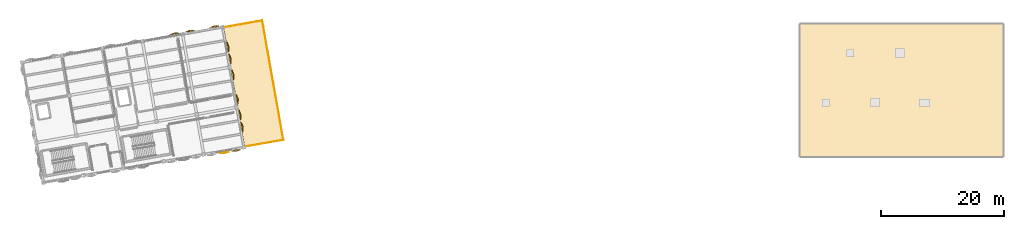
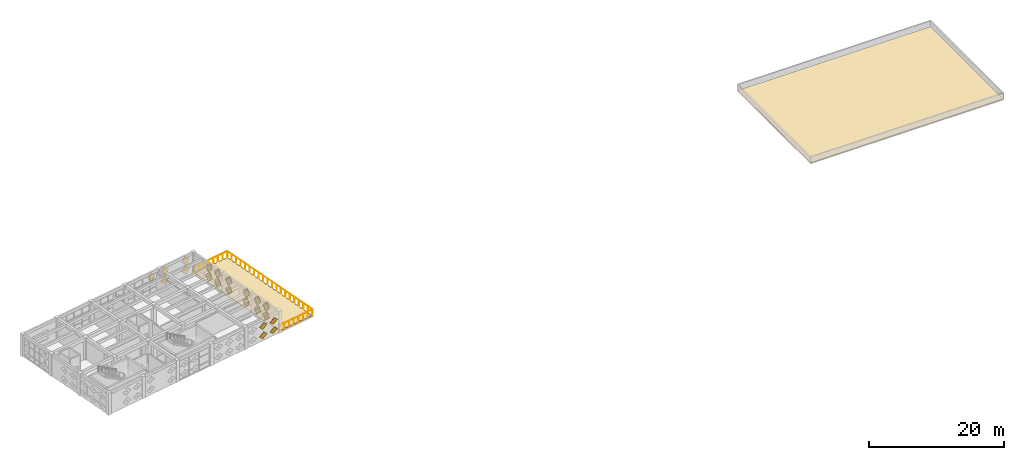
# One storey, part 18 of 18: 23 coverings, 1 railing.
"""IFC4 building model written with IfcOpenShell, lengths in metres."""

import ifcopenshell
import ifcopenshell.guid

model = None  # the IFC model being written
_history = None  # IfcOwnerHistory: only IFC2X3 demands one
_inside = {}  # id of a spatial element -> (the spatial element, [elements in it])
_under = {}  # id of a project, library or spatial element -> (it, [spatial elements below it])
_declared = {}  # id of a project -> (the project, [libraries it declares])
_typed = {}  # id of a type object -> (the type object, [elements of that type])
_made_of = {}  # id of a material, layer set ... -> (it, [elements and type objects made of it])


def new_model(schema):
    """Start an empty IFC model of exactly this schema.

    Asked for "IFC4X3", IfcOpenShell would pick the latest addendum, in which some entities
    have other attributes; the version numbers below select the first issue.
    IFC2X3 requires an IfcOwnerHistory on every rooted entity: one is made here for all.
    """
    global model, _history
    if schema == "IFC4X3":
        model = ifcopenshell.file(schema_version=(4, 3, 0, 0))
    else:
        model = ifcopenshell.file(schema=schema)
    _inside.clear()
    _under.clear()
    _declared.clear()
    _typed.clear()
    _made_of.clear()
    _history = None
    if model.schema == "IFC2X3":
        org = make("IfcOrganization", Name="unknown")
        user = make(
            "IfcPersonAndOrganization",
            ThePerson=make("IfcPerson", FamilyName="unknown"),
            TheOrganization=org,
        )
        app = make(
            "IfcApplication",
            ApplicationDeveloper=org,
            Version="unknown",
            ApplicationFullName="unknown",
            ApplicationIdentifier="unknown",
        )
        _history = make(
            "IfcOwnerHistory",
            OwningUser=user,
            OwningApplication=app,
            ChangeAction="ADDED",
            CreationDate=0,
        )
    return model


def make(cls, **values):
    """One entity of the class cls with the attributes given. An attribute that is None is left unset."""
    return model.create_entity(
        cls, **{name: value for name, value in values.items() if value is not None}
    )


def rooted(cls, **values):
    """An entity with a GlobalId (a new one), such as an element, a storey or a relation."""
    return make(cls, GlobalId=ifcopenshell.guid.new(), OwnerHistory=_history, **values)


def si_unit(unit_type, name, prefix=None):
    """IfcSIUnit, for example si_unit("LENGTHUNIT", "METRE", prefix="MILLI")."""
    return make("IfcSIUnit", UnitType=unit_type, Prefix=prefix, Name=name)


def assignment(units):
    """IfcUnitAssignment: the units of a project."""
    return None if units is None else make("IfcUnitAssignment", Units=units)


def point(xyz):
    """IfcCartesianPoint."""
    return None if xyz is None else make("IfcCartesianPoint", Coordinates=xyz)


def direction(xyz):
    """IfcDirection."""
    return None if xyz is None else make("IfcDirection", DirectionRatios=xyz)


def frame(location, z_axis=None, x_axis=None):
    """IfcAxis2Placement3D, a coordinate frame: its origin and axes. An axis left out is left unset."""
    return make(
        "IfcAxis2Placement3D",
        Location=point(location),
        Axis=direction(z_axis),
        RefDirection=direction(x_axis),
    )


def frame_2d(location, x_axis=None):
    """IfcAxis2Placement2D, a coordinate frame in the plane: its origin and x axis."""
    return make(
        "IfcAxis2Placement2D", Location=point(location), RefDirection=direction(x_axis)
    )


def origin():
    """The frame at (0, 0, 0) with its axes left unset."""
    return frame((0.0, 0.0, 0.0))


def origin_2d():
    """The frame at (0, 0) in the plane with its x axis left unset."""
    return frame_2d((0.0, 0.0))


def place(relative_to, where):
    """IfcLocalPlacement: puts the frame where relative to a parent placement (None: the world)."""
    return make(
        "IfcLocalPlacement", PlacementRelTo=relative_to, RelativePlacement=where
    )


def context(
    kind, dimensions, precision=None, world=None, true_north=None, identifier=None
):
    """IfcGeometricRepresentationContext, for example the 3D "Model" context."""
    return make(
        "IfcGeometricRepresentationContext",
        ContextIdentifier=identifier,
        ContextType=kind,
        CoordinateSpaceDimension=dimensions,
        Precision=precision,
        WorldCoordinateSystem=world,
        TrueNorth=true_north,
    )


def subcontext(parent, identifier, kind, view, scale=None):
    """IfcGeometricRepresentationSubContext, for example "Body" below "Model"."""
    return make(
        "IfcGeometricRepresentationSubContext",
        ContextIdentifier=identifier,
        ContextType=kind,
        ParentContext=parent,
        TargetScale=scale,
        TargetView=view,
    )


def project(units=None, contexts=None):
    """IfcProject with its units and contexts."""
    return rooted(
        "IfcProject",
        Name="project",
        RepresentationContexts=contexts,
        UnitsInContext=assignment(units),
    )


def spatial(cls, under=None, at=None, **own):
    """A site, building, storey or space (cls), placed at a placement, below another one or the project."""
    s = rooted(cls, ObjectPlacement=at, **own)
    if under is not None:
        _under.setdefault(under.id(), (under, []))[1].append(s)
    return s


def polyline(points):
    """IfcPolyline through the points."""
    return make("IfcPolyline", Points=[point(p) for p in points])


def profile(cls, at=None, kind="AREA", **sizes):
    """A parametric profile (cls). Its sizes go by their IFC names, for example OverallWidth=200.0."""
    return make(cls, ProfileType=kind, Position=at, **sizes)


def circle(**sizes):
    """IfcCircleProfileDef."""
    return profile("IfcCircleProfileDef", **sizes)


def outline(outer, holes=None, kind="AREA"):
    """IfcArbitraryClosedProfileDef: a profile drawn as a closed curve; with holes, ...WithVoids."""
    if holes is None:
        return make("IfcArbitraryClosedProfileDef", ProfileType=kind, OuterCurve=outer)
    return make(
        "IfcArbitraryProfileDefWithVoids",
        ProfileType=kind,
        OuterCurve=outer,
        InnerCurves=holes,
    )


def extrude(swept, where, along, depth):
    """IfcExtrudedAreaSolid: the profile swept, set in the frame where, extruded along a direction by depth."""
    return make(
        "IfcExtrudedAreaSolid",
        SweptArea=swept,
        Position=where,
        ExtrudedDirection=direction(along),
        Depth=depth,
    )


def shape(context_of_items, identifier, shape_type, items):
    """IfcShapeRepresentation: the items that make up one representation, for example the "Body"."""
    return make(
        "IfcShapeRepresentation",
        ContextOfItems=context_of_items,
        RepresentationIdentifier=identifier,
        RepresentationType=shape_type,
        Items=items,
    )


def material(Name=None, Category=None):
    """IfcMaterial."""
    return make("IfcMaterial", Name=Name, Category=Category)


def layer(
    of_material, thickness, ventilated=None, Name=None, Category=None, Priority=None
):
    """IfcMaterialLayer: one layer of a wall or slab, of a material (None: an air gap)."""
    return make(
        "IfcMaterialLayer",
        Material=of_material,
        LayerThickness=thickness,
        IsVentilated=ventilated,
        Name=Name,
        Category=Category,
        Priority=Priority,
    )


def layer_set(layers, Name=None):
    """IfcMaterialLayerSet."""
    return make("IfcMaterialLayerSet", MaterialLayers=layers, LayerSetName=Name)


def made_of(thing, what):
    """Note that an element or type object is made of a material, layer set ...; save() writes the relation."""
    if what is not None:
        _made_of.setdefault(what.id(), (what, []))[1].append(thing)
    return thing


def type_object(cls, material=None, **own):
    """A type object (cls), such as IfcWallType, which elements share."""
    return made_of(rooted(cls, **own), material)


def element(
    cls,
    number,
    at=None,
    inside=None,
    cuts=None,
    type_object=None,
    material=None,
    context=None,
    identifier="Body",
    shape_type=None,
    held_by="IfcProductDefinitionShape",
    body=None,
    shapes=None,
    **own,
):
    """One element of the class cls, such as IfcWall. Its Tag is "e" and its number.

    at: its placement. inside: the storey or other place that contains it. cuts: it is an
    opening in that element (IfcRelVoidsElement). A single representation is given by context,
    identifier, shape_type and body (its items); several are given by shapes. held_by: the class
    of the entity that holds the representations. save() writes the other relations.
    """
    e = rooted(cls, Tag="e%d" % number, ObjectPlacement=at, **own)
    if body is not None:
        shapes = [shape(context, identifier, shape_type, body)]
    if shapes is not None:
        e.Representation = make(held_by, Representations=shapes)
    if inside is not None:
        _inside.setdefault(inside.id(), (inside, []))[1].append(e)
    if cuts is not None:
        rooted(
            "IfcRelVoidsElement", RelatingBuildingElement=cuts, RelatedOpeningElement=e
        )
    if type_object is not None:
        _typed.setdefault(type_object.id(), (type_object, []))[1].append(e)
    return made_of(e, material)


def aggregate(whole, parts):
    """IfcRelAggregates: a whole, such as a stair, and the parts it consists of."""
    return rooted("IfcRelAggregates", RelatingObject=whole, RelatedObjects=parts)


def save(model, path):
    """Write the relations noted so far, then the file.

    IfcRelAggregates (storeys below a building ...), IfcRelContainedInSpatialStructure (elements
    in a storey), IfcRelDefinesByType, IfcRelAssociatesMaterial and IfcRelDeclares: one each for
    every whole, place, type object, material and project.
    """
    for whole, parts in _under.values():
        aggregate(whole, parts)
    for where, things in _inside.values():
        rooted(
            "IfcRelContainedInSpatialStructure",
            RelatedElements=things,
            RelatingStructure=where,
        )
    for kind, things in _typed.values():
        rooted("IfcRelDefinesByType", RelatedObjects=things, RelatingType=kind)
    for what, things in _made_of.values():
        rooted("IfcRelAssociatesMaterial", RelatedObjects=things, RelatingMaterial=what)
    for by, libraries in _declared.values():
        rooted("IfcRelDeclares", RelatingContext=by, RelatedDefinitions=libraries)
    model.write(path)


model = new_model("IFC4")

# Units and contexts
model_context = context("Model", 3, precision=1e-05, world=origin(), true_north=direction((0.0, 1.0)))
body_context = subcontext(model_context, "Body", "Model", "MODEL_VIEW")
ifc_project = project(units=[si_unit("LENGTHUNIT", "METRE"), si_unit("AREAUNIT", "SQUARE_METRE"), si_unit("VOLUMEUNIT", "CUBIC_METRE"), si_unit("PLANEANGLEUNIT", "RADIAN"), si_unit("MASSUNIT", "GRAM", prefix="KILO")], contexts=[model_context])

# Site, building, storey
site_placement = place(None, origin())
site = spatial("IfcSite", under=ifc_project, at=site_placement, CompositionType="ELEMENT")
building_placement = place(site_placement, origin())
building = spatial("IfcBuilding", under=site, at=building_placement, Name="Kharisveld Research Institute", CompositionType="ELEMENT")
storey_placement = place(building_placement, frame((0.0, 0.0, 36.60009765625)))
storey = spatial("IfcBuildingStorey", under=building, at=storey_placement, Name="L08", CompositionType="ELEMENT", Elevation=36.60009765625)

# Coverings
ifc_material_1 = material(Name="High-Albedo TPO Roof Membrane", Category="mineral")
ifc_layer = layer(ifc_material_1, 0.034912109375)
ifc_layer_set = layer_set([ifc_layer], Name="CV_ROOF_EPDM")
covering_type_1 = type_object("IfcCoveringType", Name="CV_ROOF_EPDM", PredefinedType="ROOFING", material=ifc_layer_set)
covering_1_placement = place(storey_placement, origin())
element("IfcCovering", 1, at=covering_1_placement, inside=storey, type_object=covering_type_1, Name="COV:V2:L08:ROOFMEM", PredefinedType="ROOFING", context=body_context, shape_type="SweptSolid", body=[
    extrude(outline(polyline([(127.800048828125, 39.199951171875), (160.800048828125, 39.199951171875), (160.800048828125, 60.800048828125), (127.800048828125, 60.800048828125), (127.800048828125, 39.199951171875)])), origin(), (0.0, 0.0, 1.0), 0.034912109375),
])
covering_2_placement = place(storey_placement, origin())
element("IfcCovering", 2, at=covering_2_placement, inside=storey, type_object=covering_type_1, Name="COV:V1:L08:TERMEM", PredefinedType="ROOFING", context=body_context, shape_type="SweptSolid", body=[
    extrude(outline(polyline([(37.8203125, 40.9140625), (44.024658203125, 42.008056640625), (40.638427734375, 61.2119140625), (34.43408203125, 60.117919921875), (37.8203125, 40.9140625)])), origin(), (0.0, 0.0, 1.0), 0.034912109375),
])

# Railing
ifc_material_2 = material(Name="Steel S355JR", Category="steel")
railing_type = type_object("IfcRailingType", Name="RL_GRD_TER", PredefinedType="GUARDRAIL", material=ifc_material_2)
railing_placement = place(storey_placement, frame((37.8818359375, 40.85400390625, 0.0)))
element("IfcRailing", 3, at=railing_placement, inside=storey, type_object=railing_type, Name="RLG:V1:L08:TERRACE", PredefinedType="GUARDRAIL", context=body_context, shape_type="SweptSolid", body=[
    extrude(circle(Radius=0.02392578125, at=origin_2d()), frame((0.0, 0.0, 1.1259765625), z_axis=(0.984808438196, 0.173644291754, 0.0), x_axis=(-0.173644291754, 0.984808438196, 0.0)), (0.0, 0.0, 1.0), 6.31982421875),
    extrude(circle(Radius=0.02392578125, at=origin_2d()), frame((6.223876953125, 1.097412109375, 1.1259765625), z_axis=(-0.173646340421, 0.984808076967, 0.0), x_axis=(-0.984808076967, -0.173646340421, 0.0)), (0.0, 0.0, 1.0), 19.639892578125),
    extrude(circle(Radius=0.02392578125, at=origin_2d()), frame((2.8134765625, 20.43896484375, 1.1259765625), z_axis=(-0.98480960293, -0.173637685933, 0.0), x_axis=(0.173637685933, -0.98480960293, 0.0)), (0.0, 0.0, 1.0), 6.320068359375),
    extrude(circle(Radius=0.02099609375, at=origin_2d()), origin(), (0.0, 0.0, 1.0), 1.101806640625),
    extrude(circle(Radius=0.02099609375, at=origin_2d()), frame((0.88916015625, 0.15673828125, 0.0)), (0.0, 0.0, 1.0), 1.101806640625),
    extrude(circle(Radius=0.02099609375, at=origin_2d()), frame((1.7783203125, 0.3134765625, 0.0)), (0.0, 0.0, 1.0), 1.101806640625),
    extrude(circle(Radius=0.02099609375, at=origin_2d()), frame((2.66748046875, 0.47021484375, 0.0)), (0.0, 0.0, 1.0), 1.101806640625),
    extrude(circle(Radius=0.02099609375, at=origin_2d()), frame((3.556396484375, 0.627197265625, 0.0)), (0.0, 0.0, 1.0), 1.101806640625),
    extrude(circle(Radius=0.02099609375, at=origin_2d()), frame((4.445556640625, 0.783935546875, 0.0)), (0.0, 0.0, 1.0), 1.101806640625),
    extrude(circle(Radius=0.02099609375, at=origin_2d()), frame((5.334716796875, 0.940673828125, 0.0)), (0.0, 0.0, 1.0), 1.101806640625),
    extrude(circle(Radius=0.02099609375, at=origin_2d()), frame((6.223876953125, 1.097412109375, 0.0)), (0.0, 0.0, 1.0), 1.101806640625),
    extrude(circle(Radius=0.02099609375, at=origin_2d()), frame((6.04443359375, 2.115478515625, 0.0)), (0.0, 0.0, 1.0), 1.101806640625),
    extrude(circle(Radius=0.02099609375, at=origin_2d()), frame((5.864990234375, 3.13330078125, 0.0)), (0.0, 0.0, 1.0), 1.101806640625),
    extrude(circle(Radius=0.02099609375, at=origin_2d()), frame((5.685302734375, 4.1513671875, 0.0)), (0.0, 0.0, 1.0), 1.101806640625),
    extrude(circle(Radius=0.02099609375, at=origin_2d()), frame((5.505859375, 5.16943359375, 0.0)), (0.0, 0.0, 1.0), 1.101806640625),
    extrude(circle(Radius=0.02099609375, at=origin_2d()), frame((5.326416015625, 6.187255859375, 0.0)), (0.0, 0.0, 1.0), 1.101806640625),
    extrude(circle(Radius=0.02099609375, at=origin_2d()), frame((5.14697265625, 7.205322265625, 0.0)), (0.0, 0.0, 1.0), 1.101806640625),
    extrude(circle(Radius=0.02099609375, at=origin_2d()), frame((4.967529296875, 8.22314453125, 0.0)), (0.0, 0.0, 1.0), 1.101806640625),
    extrude(circle(Radius=0.02099609375, at=origin_2d()), frame((4.787841796875, 9.2412109375, 0.0)), (0.0, 0.0, 1.0), 1.101806640625),
    extrude(circle(Radius=0.02099609375, at=origin_2d()), frame((4.6083984375, 10.25927734375, 0.0)), (0.0, 0.0, 1.0), 1.101806640625),
    extrude(circle(Radius=0.02099609375, at=origin_2d()), frame((4.428955078125, 11.277099609375, 0.0)), (0.0, 0.0, 1.0), 1.101806640625),
    extrude(circle(Radius=0.02099609375, at=origin_2d()), frame((4.24951171875, 12.295166015625, 0.0)), (0.0, 0.0, 1.0), 1.101806640625),
    extrude(circle(Radius=0.02099609375, at=origin_2d()), frame((4.06982421875, 13.313232421875, 0.0)), (0.0, 0.0, 1.0), 1.101806640625),
    extrude(circle(Radius=0.02099609375, at=origin_2d()), frame((3.890380859375, 14.3310546875, 0.0)), (0.0, 0.0, 1.0), 1.101806640625),
    extrude(circle(Radius=0.02099609375, at=origin_2d()), frame((3.7109375, 15.34912109375, 0.0)), (0.0, 0.0, 1.0), 1.101806640625),
    extrude(circle(Radius=0.02099609375, at=origin_2d()), frame((3.531494140625, 16.366943359375, 0.0)), (0.0, 0.0, 1.0), 1.101806640625),
    extrude(circle(Radius=0.02099609375, at=origin_2d()), frame((3.35205078125, 17.385009765625, 0.0)), (0.0, 0.0, 1.0), 1.101806640625),
    extrude(circle(Radius=0.02099609375, at=origin_2d()), frame((3.17236328125, 18.403076171875, 0.0)), (0.0, 0.0, 1.0), 1.101806640625),
    extrude(circle(Radius=0.02099609375, at=origin_2d()), frame((2.992919921875, 19.4208984375, 0.0)), (0.0, 0.0, 1.0), 1.101806640625),
    extrude(circle(Radius=0.02099609375, at=origin_2d()), frame((2.8134765625, 20.43896484375, 0.0)), (0.0, 0.0, 1.0), 1.101806640625),
    extrude(circle(Radius=0.02099609375, at=origin_2d()), frame((1.92431640625, 20.2822265625, 0.0)), (0.0, 0.0, 1.0), 1.101806640625),
    extrude(circle(Radius=0.02099609375, at=origin_2d()), frame((1.03515625, 20.12548828125, 0.0)), (0.0, 0.0, 1.0), 1.101806640625),
    extrude(circle(Radius=0.02099609375, at=origin_2d()), frame((0.14599609375, 19.96875, 0.0)), (0.0, 0.0, 1.0), 1.101806640625),
    extrude(circle(Radius=0.02099609375, at=origin_2d()), frame((-0.7431640625, 19.811767578125, 0.0)), (0.0, 0.0, 1.0), 1.101806640625),
    extrude(circle(Radius=0.02099609375, at=origin_2d()), frame((-1.63232421875, 19.655029296875, 0.0)), (0.0, 0.0, 1.0), 1.101806640625),
    extrude(circle(Radius=0.02099609375, at=origin_2d()), frame((-2.521484375, 19.498291015625, 0.0)), (0.0, 0.0, 1.0), 1.101806640625),
    extrude(circle(Radius=0.02099609375, at=origin_2d()), frame((-3.41064453125, 19.341552734375, 0.0)), (0.0, 0.0, 1.0), 1.101806640625),
])

# Coverings
ifc_material_3 = material(Name="White Powder-Coated Perforated Aluminium", Category="aluminium")
covering_type_2 = type_object("IfcCoveringType", Name="CV_DIA_105", PredefinedType="CLADDING")
covering_3_placement = place(storey_placement, frame((26.466552734375, 58.966064453125, 2.025146484375), z_axis=(0.169652917176, -0.961420032054, 0.216539626071), x_axis=(0.669685861016, 0.273667258538, 0.690381835769)))
element("IfcCovering", 4, at=covering_3_placement, inside=storey, type_object=covering_type_2, material=ifc_material_3, Name="SHD:V1:L08:N3:S2C1", PredefinedType="CLADDING", context=body_context, shape_type="SweptSolid", body=[
    extrude(outline(polyline([(0.0, 0.0), (1.0499378206599106, 0.0), (1.0500673127316735, 1.0499534809922781), (-3.40054528989997e-05, 1.0501299963078314), (0.0, 0.0)])), origin(), (0.0, 0.0, -1.0), 0.02392578125),
])
for number, where, z_axis, x_axis, name in (
    (5, (29.0205078125, 59.41650390625, 0.324951171875), (0.169503194288, -0.961481187298, 0.216385289699), (0.669728459805, 0.273452141042, 0.690425750307), "SHD:V1:L08:N4:S0C0"),
    (6, (29.0205078125, 59.41650390625, 2.025146484375), (0.169503194288, -0.961481187298, 0.216385289699), (0.669728459805, 0.273452141042, 0.690425750307), "SHD:V1:L08:N4:S0C1"),
    (7, (32.96630859375, 60.1123046875, 0.324951171875), (0.169503194288, -0.961481187298, 0.216385289699), (0.669728459805, 0.273452141042, 0.690425750307), "SHD:V1:L08:N4:S2C0"),
    (8, (32.96630859375, 60.1123046875, 2.025146484375), (0.169503194288, -0.961481187298, 0.216385289699), (0.669728459805, 0.273452141042, 0.690425750307), "SHD:V1:L08:N4:S2C1"),
):
    element("IfcCovering", number, at=place(storey_placement, frame(where, z_axis=z_axis, x_axis=x_axis)), inside=storey, type_object=covering_type_2, material=ifc_material_3, Name=name, PredefinedType="CLADDING", context=body_context, shape_type="SweptSolid", body=[
        extrude(outline(polyline([(0.0, 0.0), (1.0498710289953155, -1.1102230246251565e-16), (1.0499937165082887, 1.0499534818098035), (-4.082041178410378e-05, 1.0501299960653954), (0.0, 0.0)])), origin(), (0.0, 0.0, -1.0), 0.02392578125),
    ])
for number, where, z_axis, x_axis, name in (
    (9, (34.93115234375, 57.007080078125, 0.324951171875), (-0.961453431325, -0.169498301082, 0.216512413788), (0.273536150679, -0.669829678259, 0.690294267972), "SHD:V1:L08:E3:S1C0"),
    (10, (34.93115234375, 57.007080078125, 2.025146484375), (-0.961453431325, -0.169498301082, 0.216512413788), (0.273536150679, -0.669829678259, 0.690294267972), "SHD:V1:L08:E3:S1C1"),
):
    element("IfcCovering", number, at=place(storey_placement, frame(where, z_axis=z_axis, x_axis=x_axis)), inside=storey, type_object=covering_type_2, material=ifc_material_3, Name=name, PredefinedType="CLADDING", context=body_context, shape_type="SweptSolid", body=[
        extrude(outline(polyline([(0.0, 0.0), (1.050101326665668, -1.1102230246251565e-16), (1.050054341798497, 1.049953481570866), (1.9796419616024963e-05, 1.0499603230588543), (0.0, 0.0)])), origin(), (0.0, 0.0, -1.0), 0.02392578125),
    ])
for number, where, z_axis, x_axis, name in (
    (11, (35.279052734375, 55.0341796875, 0.324951171875), (-0.961425979727, -0.169653966706, 0.216512394765), (0.27364360613, -0.669810730042, 0.69027006508), "SHD:V1:L08:E3:S2C0"),
    (12, (35.279052734375, 55.0341796875, 2.025146484375), (-0.961425979727, -0.169653966706, 0.216512394765), (0.27364360613, -0.669810730042, 0.69027006508), "SHD:V1:L08:E3:S2C1"),
):
    element("IfcCovering", number, at=place(storey_placement, frame(where, z_axis=z_axis, x_axis=x_axis)), inside=storey, type_object=covering_type_2, material=ifc_material_3, Name=name, PredefinedType="CLADDING", context=body_context, shape_type="SweptSolid", body=[
        extrude(outline(polyline([(0.0, 0.0), (1.0501013332243323, 1.1102230246251565e-16), (1.050054335240126, 1.049953488129867), (-4.699798420648715e-05, 1.049953488129867), (0.0, 0.0)])), origin(), (0.0, 0.0, -1.0), 0.02392578125),
    ])
for number, where, z_axis, x_axis, name in (
    (13, (35.7294921875, 52.480224609375, 0.324951171875), (-0.961487125864, -0.169504241221, 0.216358080518), (0.27342850239, -0.669853329409, 0.690313965642), "SHD:V1:L08:E2:S0C0"),
    (14, (35.7294921875, 52.480224609375, 2.025146484375), (-0.961487125864, -0.169504241221, 0.216358080518), (0.27342850239, -0.669853329409, 0.690313965642), "SHD:V1:L08:E2:S0C1"),
    (15, (36.42529296875, 48.534423828125, 0.324951171875), (-0.961487125864, -0.169504241221, 0.216358080518), (0.27342850239, -0.669853329409, 0.690313965642), "SHD:V1:L08:E2:S2C0"),
    (16, (36.42529296875, 48.534423828125, 2.025146484375), (-0.961487125864, -0.169504241221, 0.216358080518), (0.27342850239, -0.669853329409, 0.690313965642), "SHD:V1:L08:E2:S2C1"),
):
    element("IfcCovering", number, at=place(storey_placement, frame(where, z_axis=z_axis, x_axis=x_axis)), inside=storey, type_object=covering_type_2, material=ifc_material_3, Name=name, PredefinedType="CLADDING", context=body_context, shape_type="SweptSolid", body=[
        extrude(outline(polyline([(0.0, 0.0), (1.0500345519602505, 0.0), (1.0499807392517624, 1.0499534878027108), (-5.381270848814346e-05, 1.049953487802711), (0.0, 0.0)])), origin(), (0.0, 0.0, -1.0), 0.02392578125),
    ])
for number, where, z_axis, x_axis, name in (
    (17, (36.87548828125, 45.98046875, 0.324951171875), (-0.961453431325, -0.169498301082, 0.216512413788), (0.273535968092, -0.669834388355, 0.690289769834), "SHD:V1:L08:E1:S0C0"),
    (18, (36.87548828125, 45.98046875, 2.025146484375), (-0.961453431325, -0.169498301082, 0.216512413788), (0.273535968092, -0.669834388355, 0.690289769834), "SHD:V1:L08:E1:S0C1"),
    (19, (37.223388671875, 44.007568359375, 0.324951171875), (-0.961453431325, -0.169498301082, 0.216512413788), (0.273535968092, -0.669834388355, 0.690289769834), "SHD:V1:L08:E1:S1C0"),
    (20, (37.223388671875, 44.007568359375, 2.025146484375), (-0.961453431325, -0.169498301082, 0.216512413788), (0.273535968092, -0.669834388355, 0.690289769834), "SHD:V1:L08:E1:S1C1"),
):
    element("IfcCovering", number, at=place(storey_placement, frame(where, z_axis=z_axis, x_axis=x_axis)), inside=storey, type_object=covering_type_2, material=ifc_material_3, Name=name, PredefinedType="CLADDING", context=body_context, shape_type="SweptSolid", body=[
        extrude(outline(polyline([(0.0, 0.0), (1.0500345454011688, 0.0), (1.0500475008163912, 1.049960323165551), (-5.3825826987430325e-05, 1.0499534812424507), (0.0, 0.0)])), origin(), (0.0, 0.0, -1.0), 0.02392578125),
    ])
for number, where, z_axis, x_axis, name in (
    (21, (36.43896484375, 40.41748046875, 0.324951171875), (-0.169653966706, 0.961425979727, 0.216512394765), (-0.669810730042, -0.27364360613, 0.69027006508), "SHD:V1:L08:S5:S0C0"),
    (22, (36.43896484375, 40.41748046875, 2.025146484375), (-0.169653966706, 0.961425979727, 0.216512394765), (-0.669810730042, -0.27364360613, 0.69027006508), "SHD:V1:L08:S5:S0C1"),
):
    element("IfcCovering", number, at=place(storey_placement, frame(where, z_axis=z_axis, x_axis=x_axis)), inside=storey, type_object=covering_type_2, material=ifc_material_3, Name=name, PredefinedType="CLADDING", context=body_context, shape_type="SweptSolid", body=[
        extrude(outline(polyline([(0.0, 0.0), (1.0501013332243323, 1.1102230246251565e-16), (1.050054335240126, 1.049953488129867), (-4.699798420648715e-05, 1.049953488129867), (0.0, 0.0)])), origin(), (0.0, 0.0, -1.0), 0.02392578125),
    ])
covering_4_placement = place(storey_placement, frame((34.47265625, 40.031982421875, 0.317626953125), z_axis=(-0.171234061711, 0.9712992705, 0.165095800177), x_axis=(-0.676172534966, -0.237733660148, 0.69733306948)))
element("IfcCovering", 23, at=covering_4_placement, inside=storey, type_object=covering_type_2, material=ifc_material_3, Name="SHD:V1:L08:S5:S1C0", PredefinedType="CLADDING", context=body_context, shape_type="SweptSolid", body=[
    extrude(outline(polyline([(0.0, 0.0), (1.049945167901042, 2.220446049250313e-16), (1.0499916144071415, 1.0500832207180806), (-0.0001818412696886762, 1.0499148369138707), (0.0, 0.0)])), origin(), (0.0, 0.0, -1.0), 0.02392578125),
])
covering_5_placement = place(storey_placement, frame((34.47265625, 40.031982421875, 2.017578125), z_axis=(-0.171234061711, 0.9712992705, 0.165095800177), x_axis=(-0.67605633082, -0.237732396439, 0.697446159385)))
element("IfcCovering", 24, at=covering_5_placement, inside=storey, type_object=covering_type_2, material=ifc_material_3, Name="SHD:V1:L08:S5:S1C1", PredefinedType="CLADDING", context=body_context, shape_type="SweptSolid", body=[
    extrude(outline(polyline([(0.0, 0.0), (1.050115429038497, -1.1102230246251565e-16), (1.0501618771158647, 1.0499129452537745), (0.00015868288277420817, 1.050085106724131), (0.0, 0.0)])), origin(), (0.0, 0.0, -1.0), 0.02392578125),
])

save(model, "model.ifc")
